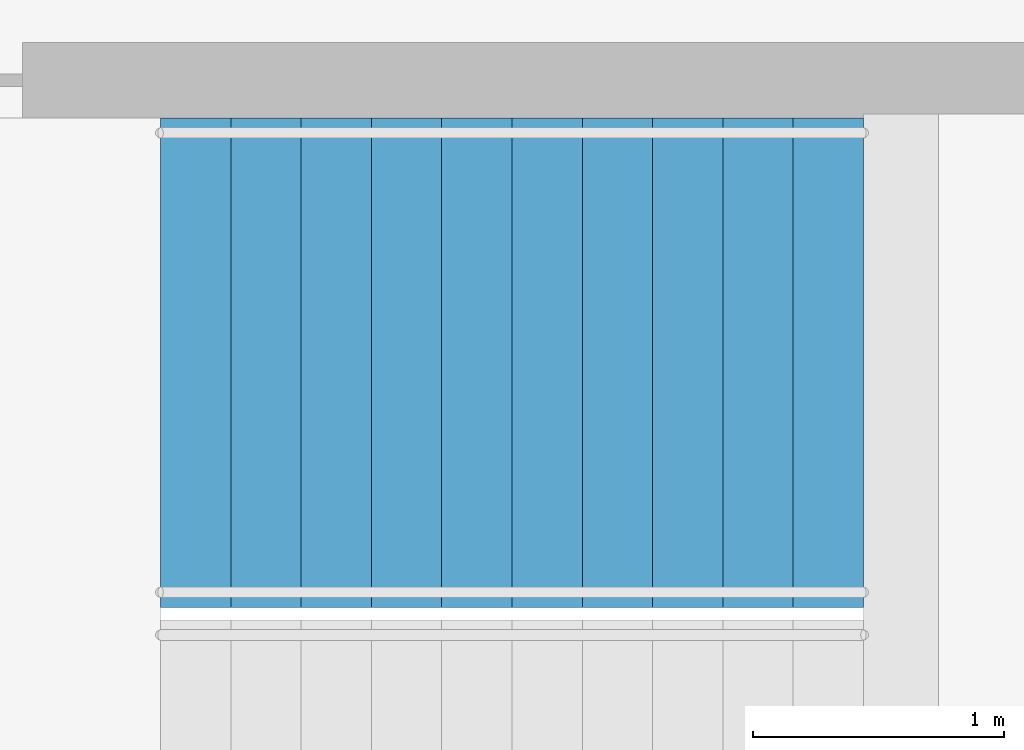
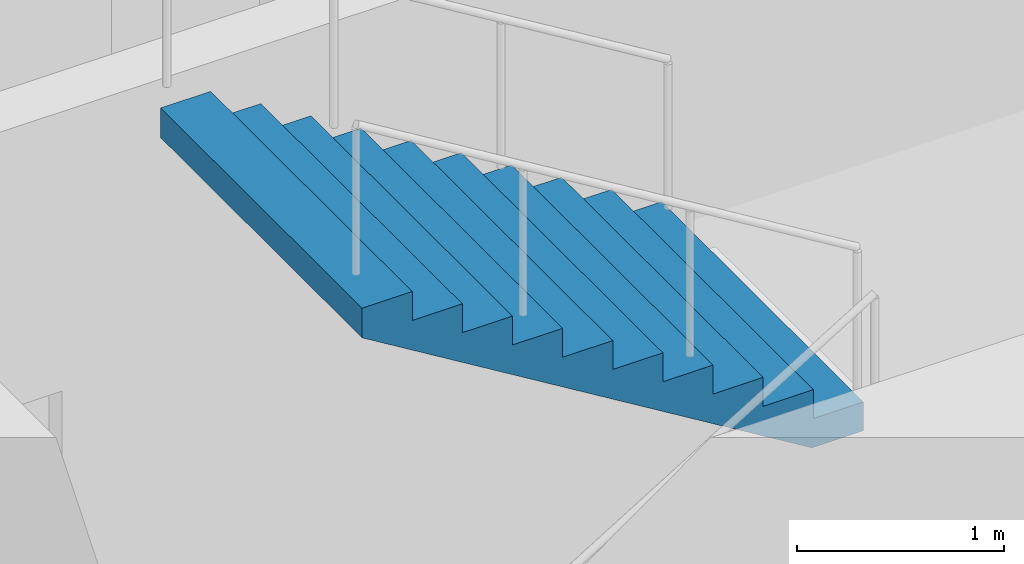
# One storey, part 23 of 28: 1 stair flight, 1 element without a shape of its own.
"""IFC4 building model written with IfcOpenShell, lengths in metres."""

from ifc_helpers import new_model, si_unit, direction, frame, origin, place, context, subcontext, project, spatial, triangles, material, type_object, element, aggregate, save


model = new_model("IFC4")

# Units and contexts
model_context = context("Model", 3, precision=1e-05, world=origin(), true_north=direction((0.0, 1.0)))
body_context = subcontext(model_context, "Body", "Model", "MODEL_VIEW")
ifc_project = project(units=[si_unit("LENGTHUNIT", "METRE"), si_unit("AREAUNIT", "SQUARE_METRE"), si_unit("VOLUMEUNIT", "CUBIC_METRE"), si_unit("PLANEANGLEUNIT", "RADIAN"), si_unit("MASSUNIT", "GRAM", prefix="KILO")], contexts=[model_context])

# Site, building, storey
site_placement = place(None, origin())
site = spatial("IfcSite", under=ifc_project, at=site_placement, CompositionType="ELEMENT")
building_placement = place(site_placement, origin())
building = spatial("IfcBuilding", under=site, at=building_placement, Name="Orbita Commons", CompositionType="ELEMENT")
storey_placement = place(building_placement, frame((0.0, 0.0, 23.949951171875)))
storey = spatial("IfcBuildingStorey", under=building, at=storey_placement, Name="L05", CompositionType="ELEMENT", Elevation=23.949951171875)

# Stair, stair flight
ifc_material_1 = material(Name="Precast concrete C40/50", Category="concrete")
stair_type = type_object("IfcStairType", Name="Exit stair S1 2 flights 11 risers 170", PredefinedType="HALF_TURN_STAIR", material=ifc_material_1)
stair_placement = place(storey_placement, origin())
stair = element("IfcStair", 1, at=stair_placement, inside=storey, type_object=stair_type, Name="Exit stair S1 L05", PredefinedType="HALF_TURN_STAIR")
ifc_material_2 = material(Name="Precast concrete C40/50", Category="concrete")
stair_flight_type = type_object("IfcStairFlightType", Name="Stair flight 11 risers 170 x 280", PredefinedType="STRAIGHT", material=ifc_material_2)
stair_flight_placement = place(storey_placement, frame((23.25, 29.27490234375, 1.875), z_axis=(0.0, 0.0, 1.0), x_axis=(-1.0, 0.0, 0.0)))
stair_flight = element("IfcStairFlight", 2, at=stair_flight_placement, type_object=stair_flight_type, Name="S1 flight 2", NumberOfRisers=11, NumberOfTreads=10, PredefinedType="STRAIGHT", RiserHeight=0.170454545, TreadLength=0.28, context=body_context, shape_type="Tessellation", body=[
    triangles([(0.0, 0.974976, 0.0), (0.0, 0.974976, 0.021307), (0.0, 0.81248, 0.021307), (0.0, 0.81248, 0.0), (0.0, 0.649984, 0.021307), (0.0, 0.649984, 0.0), (0.0, 0.487488, 0.021307), (0.0, 0.487488, 0.0), (0.0, 0.324992, 0.021307), (0.0, 0.324992, 0.0), (0.0, 0.162496, 0.021307), (0.0, 0.162496, 0.0), (0.0, 0.0, 0.021307), (0.0, 0.0, 0.0), (0.0, -0.162496, 0.021307), (0.0, -0.162496, 0.0), (0.0, -0.324992, 0.021307), (0.0, -0.324992, 0.0), (0.0, -0.487488, 0.021307), (0.0, -0.487488, 0.0), (0.0, -0.649984, 0.021307), (0.0, -0.649984, 0.0), (0.0, -0.81248, 0.021307), (0.0, -0.81248, 0.0), (0.0, -0.974976, 0.021307), (0.0, -0.974976, 0.0), (0.0, 0.974976, 0.042614), (0.0, 0.81248, 0.042614), (0.0, 0.649984, 0.042614), (0.0, 0.487488, 0.042614), (0.0, 0.324992, 0.042614), (0.0, 0.162496, 0.042614), (0.0, 0.0, 0.042614), (0.0, -0.162496, 0.042614), (0.0, -0.324992, 0.042614), (0.0, -0.487488, 0.042614), (0.0, -0.649984, 0.042614), (0.0, -0.81248, 0.042614), (0.0, -0.974976, 0.042614), (0.0, 0.974976, 0.06392), (0.0, 0.81248, 0.06392), (0.0, 0.649984, 0.06392), (0.0, 0.487488, 0.06392), (0.0, 0.324992, 0.06392), (0.0, 0.162496, 0.06392), (0.0, 0.0, 0.06392), (0.0, -0.162496, 0.06392), (0.0, -0.324992, 0.06392), (0.0, -0.487488, 0.06392), (0.0, -0.649984, 0.06392), (0.0, -0.81248, 0.06392), (0.0, -0.974976, 0.06392), (0.0, 0.974976, 0.085227), (0.0, 0.81248, 0.085227), (0.0, 0.649984, 0.085227), (0.0, 0.487488, 0.085227), (0.0, 0.324992, 0.085227), (0.0, 0.162496, 0.085227), (0.0, 0.0, 0.085227), (0.0, -0.162496, 0.085227), (0.0, -0.324992, 0.085227), (0.0, -0.487488, 0.085227), (0.0, -0.649984, 0.085227), (0.0, -0.81248, 0.085227), (0.0, -0.974976, 0.085227), (0.0, 0.974976, 0.106534), (0.0, 0.81248, 0.106534), (0.0, 0.649984, 0.106534), (0.0, 0.487488, 0.106534), (0.0, 0.324992, 0.106534), (0.0, 0.162496, 0.106534), (0.0, 0.0, 0.106534), (0.0, -0.162496, 0.106534), (0.0, -0.324992, 0.106534), (0.0, -0.487488, 0.106534), (0.0, -0.649984, 0.106534), (0.0, -0.81248, 0.106534), (0.0, -0.974976, 0.106534), (0.0, 0.974976, 0.127841), (0.0, 0.81248, 0.127841), (0.0, 0.649984, 0.127841), (0.0, 0.487488, 0.127841), (0.0, 0.324992, 0.127841), (0.0, 0.162496, 0.127841), (0.0, 0.0, 0.127841), (0.0, -0.162496, 0.127841), (0.0, -0.324992, 0.127841), (0.0, -0.487488, 0.127841), (0.0, -0.649984, 0.127841), (0.0, -0.81248, 0.127841), (0.0, -0.974976, 0.127841), (0.0, 0.974976, 0.149148), (0.0, 0.81248, 0.149148), (0.0, 0.649984, 0.149148), (0.0, 0.487488, 0.149148), (0.0, 0.324992, 0.149148), (0.0, 0.162496, 0.149148), (0.0, 0.0, 0.149148), (0.0, -0.162496, 0.149148), (0.0, -0.324992, 0.149148), (0.0, -0.487488, 0.149148), (0.0, -0.649984, 0.149148), (0.0, -0.81248, 0.149148), (0.0, -0.974976, 0.149148), (0.0, 0.974976, 0.170455), (0.0, 0.81248, 0.170455), (0.0, 0.649984, 0.170455), (0.0, 0.487488, 0.170455), (0.0, 0.324992, 0.170455), (0.0, 0.162496, 0.170455), (0.0, 0.0, 0.170455), (0.0, -0.162496, 0.170455), (0.0, -0.324992, 0.170455), (0.0, -0.487488, 0.170455), (0.0, -0.649984, 0.170455), (0.0, -0.81248, 0.170455), (0.0, -0.974976, 0.170455), (0.28, 0.974976, 0.170455), (0.28, 0.81248, 0.170455), (0.28, 0.649984, 0.170455), (0.28, 0.487488, 0.170455), (0.28, 0.324992, 0.170455), (0.28, 0.162496, 0.170455), (0.28, 0.0, 0.170455), (0.28, -0.162496, 0.170455), (0.28, -0.324992, 0.170455), (0.28, -0.487488, 0.170455), (0.28, -0.649984, 0.170455), (0.28, -0.81248, 0.170455), (0.28, -0.974976, 0.170455), (0.28, 0.974976, 0.340909), (0.28, 0.81248, 0.340909), (0.28, 0.649984, 0.340909), (0.28, 0.487488, 0.340909), (0.28, 0.324992, 0.340909), (0.28, 0.162496, 0.340909), (0.28, 0.0, 0.340909), (0.28, -0.162496, 0.340909), (0.28, -0.324992, 0.340909), (0.28, -0.487488, 0.340909), (0.28, -0.649984, 0.340909), (0.28, -0.81248, 0.340909), (0.28, -0.974976, 0.340909), (0.56, 0.974976, 0.340909), (0.56, 0.81248, 0.340909), (0.56, 0.649984, 0.340909), (0.56, 0.487488, 0.340909), (0.56, 0.324992, 0.340909), (0.56, 0.162496, 0.340909), (0.56, 0.0, 0.340909), (0.56, -0.162496, 0.340909), (0.56, -0.324992, 0.340909), (0.56, -0.487488, 0.340909), (0.56, -0.649984, 0.340909), (0.56, -0.81248, 0.340909), (0.56, -0.974976, 0.340909), (0.56, 0.974976, 0.511364), (0.56, 0.81248, 0.511364), (0.56, 0.649984, 0.511364), (0.56, 0.487488, 0.511364), (0.56, 0.324992, 0.511364), (0.56, 0.162496, 0.511364), (0.56, 0.0, 0.511364), (0.56, -0.162496, 0.511364), (0.56, -0.324992, 0.511364), (0.56, -0.487488, 0.511364), (0.56, -0.649984, 0.511364), (0.56, -0.81248, 0.511364), (0.56, -0.974976, 0.511364), (0.84, 0.974976, 0.511364), (0.84, 0.81248, 0.511364), (0.84, 0.649984, 0.511364), (0.84, 0.487488, 0.511364), (0.84, 0.324992, 0.511364), (0.84, 0.162496, 0.511364), (0.84, 0.0, 0.511364), (0.84, -0.162496, 0.511364), (0.84, -0.324992, 0.511364), (0.84, -0.487488, 0.511364), (0.84, -0.649984, 0.511364), (0.84, -0.81248, 0.511364), (0.84, -0.974976, 0.511364), (0.84, 0.974976, 0.681818), (0.84, 0.81248, 0.681818), (0.84, 0.649984, 0.681818), (0.84, 0.487488, 0.681818), (0.84, 0.324992, 0.681818), (0.84, 0.162496, 0.681818), (0.84, 0.0, 0.681818), (0.84, -0.162496, 0.681818), (0.84, -0.324992, 0.681818), (0.84, -0.487488, 0.681818), (0.84, -0.649984, 0.681818), (0.84, -0.81248, 0.681818), (0.84, -0.974976, 0.681818), (1.12, 0.974976, 0.681818), (1.12, 0.81248, 0.681818), (1.12, 0.649984, 0.681818), (1.12, 0.487488, 0.681818), (1.12, 0.324992, 0.681818), (1.12, 0.162496, 0.681818), (1.12, 0.0, 0.681818), (1.12, -0.162496, 0.681818), (1.12, -0.324992, 0.681818), (1.12, -0.487488, 0.681818), (1.12, -0.649984, 0.681818), (1.12, -0.81248, 0.681818), (1.12, -0.974976, 0.681818), (1.12, 0.974976, 0.852273), (1.12, 0.81248, 0.852273), (1.12, 0.649984, 0.852273), (1.12, 0.487488, 0.852273), (1.12, 0.324992, 0.852273), (1.12, 0.162496, 0.852273), (1.12, 0.0, 0.852273), (1.12, -0.162496, 0.852273), (1.12, -0.324992, 0.852273), (1.12, -0.487488, 0.852273), (1.12, -0.649984, 0.852273), (1.12, -0.81248, 0.852273), (1.12, -0.974976, 0.852273), (1.4, 0.974976, 0.852273), (1.4, 0.81248, 0.852273), (1.4, 0.649984, 0.852273), (1.4, 0.487488, 0.852273), (1.4, 0.324992, 0.852273), (1.4, 0.162496, 0.852273), (1.4, 0.0, 0.852273), (1.4, -0.162496, 0.852273), (1.4, -0.324992, 0.852273), (1.4, -0.487488, 0.852273), (1.4, -0.649984, 0.852273), (1.4, -0.81248, 0.852273), (1.4, -0.974976, 0.852273), (1.4, 0.974976, 1.022727), (1.4, 0.81248, 1.022727), (1.4, 0.649984, 1.022727), (1.4, 0.487488, 1.022727), (1.4, 0.324992, 1.022727), (1.4, 0.162496, 1.022727), (1.4, 0.0, 1.022727), (1.4, -0.162496, 1.022727), (1.4, -0.324992, 1.022727), (1.4, -0.487488, 1.022727), (1.4, -0.649984, 1.022727), (1.4, -0.81248, 1.022727), (1.4, -0.974976, 1.022727), (1.68, 0.974976, 1.022727), (1.68, 0.81248, 1.022727), (1.68, 0.649984, 1.022727), (1.68, 0.487488, 1.022727), (1.68, 0.324992, 1.022727), (1.68, 0.162496, 1.022727), (1.68, 0.0, 1.022727), (1.68, -0.162496, 1.022727), (1.68, -0.324992, 1.022727), (1.68, -0.487488, 1.022727), (1.68, -0.649984, 1.022727), (1.68, -0.81248, 1.022727), (1.68, -0.974976, 1.022727), (1.68, 0.974976, 1.193182), (1.68, 0.81248, 1.193182), (1.68, 0.649984, 1.193182), (1.68, 0.487488, 1.193182), (1.68, 0.324992, 1.193182), (1.68, 0.162496, 1.193182), (1.68, 0.0, 1.193182), (1.68, -0.162496, 1.193182), (1.68, -0.324992, 1.193182), (1.68, -0.487488, 1.193182), (1.68, -0.649984, 1.193182), (1.68, -0.81248, 1.193182), (1.68, -0.974976, 1.193182), (1.96, 0.974976, 1.193182), (1.96, 0.81248, 1.193182), (1.96, 0.649984, 1.193182), (1.96, 0.487488, 1.193182), (1.96, 0.324992, 1.193182), (1.96, 0.162496, 1.193182), (1.96, 0.0, 1.193182), (1.96, -0.162496, 1.193182), (1.96, -0.324992, 1.193182), (1.96, -0.487488, 1.193182), (1.96, -0.649984, 1.193182), (1.96, -0.81248, 1.193182), (1.96, -0.974976, 1.193182), (1.96, 0.974976, 1.363636), (1.96, 0.81248, 1.363636), (1.96, 0.649984, 1.363636), (1.96, 0.487488, 1.363636), (1.96, 0.324992, 1.363636), (1.96, 0.162496, 1.363636), (1.96, 0.0, 1.363636), (1.96, -0.162496, 1.363636), (1.96, -0.324992, 1.363636), (1.96, -0.487488, 1.363636), (1.96, -0.649984, 1.363636), (1.96, -0.81248, 1.363636), (1.96, -0.974976, 1.363636), (2.24, 0.974976, 1.363636), (2.24, 0.81248, 1.363636), (2.24, 0.649984, 1.363636), (2.24, 0.487488, 1.363636), (2.24, 0.324992, 1.363636), (2.24, 0.162496, 1.363636), (2.24, 0.0, 1.363636), (2.24, -0.162496, 1.363636), (2.24, -0.324992, 1.363636), (2.24, -0.487488, 1.363636), (2.24, -0.649984, 1.363636), (2.24, -0.81248, 1.363636), (2.24, -0.974976, 1.363636), (2.24, 0.974976, 1.534091), (2.24, 0.81248, 1.534091), (2.24, 0.649984, 1.534091), (2.24, 0.487488, 1.534091), (2.24, 0.324992, 1.534091), (2.24, 0.162496, 1.534091), (2.24, 0.0, 1.534091), (2.24, -0.162496, 1.534091), (2.24, -0.324992, 1.534091), (2.24, -0.487488, 1.534091), (2.24, -0.649984, 1.534091), (2.24, -0.81248, 1.534091), (2.24, -0.974976, 1.534091), (2.52, 0.974976, 1.534091), (2.52, 0.81248, 1.534091), (2.52, 0.649984, 1.534091), (2.52, 0.487488, 1.534091), (2.52, 0.324992, 1.534091), (2.52, 0.162496, 1.534091), (2.52, 0.0, 1.534091), (2.52, -0.162496, 1.534091), (2.52, -0.324992, 1.534091), (2.52, -0.487488, 1.534091), (2.52, -0.649984, 1.534091), (2.52, -0.81248, 1.534091), (2.52, -0.974976, 1.534091), (2.52, 0.974976, 1.704545), (2.52, 0.81248, 1.704545), (2.52, 0.649984, 1.704545), (2.52, 0.487488, 1.704545), (2.52, 0.324992, 1.704545), (2.52, 0.162496, 1.704545), (2.52, 0.0, 1.704545), (2.52, -0.162496, 1.704545), (2.52, -0.324992, 1.704545), (2.52, -0.487488, 1.704545), (2.52, -0.649984, 1.704545), (2.52, -0.81248, 1.704545), (2.52, -0.974976, 1.704545), (2.8, 0.974976, 1.704545), (2.8, 0.81248, 1.704545), (2.8, 0.649984, 1.704545), (2.8, 0.487488, 1.704545), (2.8, 0.324992, 1.704545), (2.8, 0.162496, 1.704545), (2.8, 0.0, 1.704545), (2.8, -0.162496, 1.704545), (2.8, -0.324992, 1.704545), (2.8, -0.487488, 1.704545), (2.8, -0.649984, 1.704545), (2.8, -0.81248, 1.704545), (2.8, -0.974976, 1.704545), (2.8, 0.974976, 1.682609), (2.8, 0.81248, 1.682609), (2.8, 0.649984, 1.682609), (2.8, 0.487488, 1.682609), (2.8, 0.324992, 1.682609), (2.8, 0.162496, 1.682609), (2.8, 0.0, 1.682609), (2.8, -0.162496, 1.682609), (2.8, -0.324992, 1.682609), (2.8, -0.487488, 1.682609), (2.8, -0.649984, 1.682609), (2.8, -0.81248, 1.682609), (2.8, -0.974976, 1.682609), (2.8, 0.974976, 1.660672), (2.8, 0.81248, 1.660672), (2.8, 0.649984, 1.660672), (2.8, 0.487488, 1.660672), (2.8, 0.324992, 1.660672), (2.8, 0.162496, 1.660672), (2.8, 0.0, 1.660672), (2.8, -0.162496, 1.660672), (2.8, -0.324992, 1.660672), (2.8, -0.487488, 1.660672), (2.8, -0.649984, 1.660672), (2.8, -0.81248, 1.660672), (2.8, -0.974976, 1.660672), (2.8, 0.974976, 1.638735), (2.8, 0.81248, 1.638735), (2.8, 0.649984, 1.638735), (2.8, 0.487488, 1.638735), (2.8, 0.324992, 1.638735), (2.8, 0.162496, 1.638735), (2.8, 0.0, 1.638735), (2.8, -0.162496, 1.638735), (2.8, -0.324992, 1.638735), (2.8, -0.487488, 1.638735), (2.8, -0.649984, 1.638735), (2.8, -0.81248, 1.638735), (2.8, -0.974976, 1.638735), (2.8, 0.974976, 1.616798), (2.8, 0.81248, 1.616798), (2.8, 0.649984, 1.616798), (2.8, 0.487488, 1.616798), (2.8, 0.324992, 1.616798), (2.8, 0.162496, 1.616798), (2.8, 0.0, 1.616798), (2.8, -0.162496, 1.616798), (2.8, -0.324992, 1.616798), (2.8, -0.487488, 1.616798), (2.8, -0.649984, 1.616798), (2.8, -0.81248, 1.616798), (2.8, -0.974976, 1.616798), (2.8, 0.974976, 1.594861), (2.8, 0.81248, 1.594861), (2.8, 0.649984, 1.594861), (2.8, 0.487488, 1.594861), (2.8, 0.324992, 1.594861), (2.8, 0.162496, 1.594861), (2.8, 0.0, 1.594861), (2.8, -0.162496, 1.594861), (2.8, -0.324992, 1.594861), (2.8, -0.487488, 1.594861), (2.8, -0.649984, 1.594861), (2.8, -0.81248, 1.594861), (2.8, -0.974976, 1.594861), (2.8, 0.974976, 1.572925), (2.8, 0.81248, 1.572925), (2.8, 0.649984, 1.572925), (2.8, 0.487488, 1.572925), (2.8, 0.324992, 1.572925), (2.8, 0.162496, 1.572925), (2.8, 0.0, 1.572925), (2.8, -0.162496, 1.572925), (2.8, -0.324992, 1.572925), (2.8, -0.487488, 1.572925), (2.8, -0.649984, 1.572925), (2.8, -0.81248, 1.572925), (2.8, -0.974976, 1.572925), (2.8, 0.974976, 1.550988), (2.8, 0.81248, 1.550988), (2.8, 0.649984, 1.550988), (2.8, 0.487488, 1.550988), (2.8, 0.324992, 1.550988), (2.8, 0.162496, 1.550988), (2.8, 0.0, 1.550988), (2.8, -0.162496, 1.550988), (2.8, -0.324992, 1.550988), (2.8, -0.487488, 1.550988), (2.8, -0.649984, 1.550988), (2.8, -0.81248, 1.550988), (2.8, -0.974976, 1.550988), (2.8, 0.974976, 1.529051), (2.8, 0.81248, 1.529051), (2.8, 0.649984, 1.529051), (2.8, 0.487488, 1.529051), (2.8, 0.324992, 1.529051), (2.8, 0.162496, 1.529051), (2.8, 0.0, 1.529051), (2.8, -0.162496, 1.529051), (2.8, -0.324992, 1.529051), (2.8, -0.487488, 1.529051), (2.8, -0.649984, 1.529051), (2.8, -0.81248, 1.529051), (2.8, -0.974976, 1.529051), (0.288279, 0.974976, 0.0), (0.288279, 0.81248, 0.0), (0.288279, 0.649984, 0.0), (0.288279, 0.487488, 0.0), (0.288279, 0.324992, 0.0), (0.288279, 0.162496, 0.0), (0.288279, 0.0, 0.0), (0.288279, -0.162496, 0.0), (0.288279, -0.324992, 0.0), (0.288279, -0.487488, 0.0), (0.288279, -0.649984, 0.0), (0.288279, -0.81248, 0.0), (0.288279, -0.974976, 0.0)], [[3, 2, 1], [4, 3, 1], [5, 3, 4], [6, 5, 4], [7, 5, 6], [8, 7, 6], [9, 7, 8], [10, 9, 8], [11, 9, 10], [12, 11, 10], [13, 11, 12], [14, 13, 12], [15, 13, 14], [16, 15, 14], [17, 15, 16], [18, 17, 16], [19, 17, 18], [20, 19, 18], [21, 19, 20], [22, 21, 20], [23, 21, 22], [24, 23, 22], [25, 23, 24], [26, 25, 24], [28, 27, 2], [3, 28, 2], [29, 28, 3], [5, 29, 3], [30, 29, 5], [7, 30, 5], [31, 30, 7], [9, 31, 7], [32, 31, 9], [11, 32, 9], [33, 32, 11], [13, 33, 11], [34, 33, 13], [15, 34, 13], [35, 34, 15], [17, 35, 15], [36, 35, 17], [19, 36, 17], [37, 36, 19], [21, 37, 19], [38, 37, 21], [23, 38, 21], [39, 38, 23], [25, 39, 23], [41, 40, 27], [28, 41, 27], [42, 41, 28], [29, 42, 28], [43, 42, 29], [30, 43, 29], [44, 43, 30], [31, 44, 30], [45, 44, 31], [32, 45, 31], [46, 45, 32], [33, 46, 32], [47, 46, 33], [34, 47, 33], [48, 47, 34], [35, 48, 34], [49, 48, 35], [36, 49, 35], [50, 49, 36], [37, 50, 36], [51, 50, 37], [38, 51, 37], [52, 51, 38], [39, 52, 38], [54, 53, 40], [41, 54, 40], [55, 54, 41], [42, 55, 41], [56, 55, 42], [43, 56, 42], [57, 56, 43], [44, 57, 43], [58, 57, 44], [45, 58, 44], [59, 58, 45], [46, 59, 45], [60, 59, 46], [47, 60, 46], [61, 60, 47], [48, 61, 47], [62, 61, 48], [49, 62, 48], [63, 62, 49], [50, 63, 49], [64, 63, 50], [51, 64, 50], [65, 64, 51], [52, 65, 51], [67, 66, 53], [54, 67, 53], [68, 67, 54], [55, 68, 54], [69, 68, 55], [56, 69, 55], [70, 69, 56], [57, 70, 56], [71, 70, 57], [58, 71, 57], [72, 71, 58], [59, 72, 58], [73, 72, 59], [60, 73, 59], [74, 73, 60], [61, 74, 60], [75, 74, 61], [62, 75, 61], [76, 75, 62], [63, 76, 62], [77, 76, 63], [64, 77, 63], [78, 77, 64], [65, 78, 64], [80, 79, 66], [67, 80, 66], [81, 80, 67], [68, 81, 67], [82, 81, 68], [69, 82, 68], [83, 82, 69], [70, 83, 69], [84, 83, 70], [71, 84, 70], [85, 84, 71], [72, 85, 71], [86, 85, 72], [73, 86, 72], [87, 86, 73], [74, 87, 73], [88, 87, 74], [75, 88, 74], [89, 88, 75], [76, 89, 75], [90, 89, 76], [77, 90, 76], [91, 90, 77], [78, 91, 77], [93, 92, 79], [80, 93, 79], [94, 93, 80], [81, 94, 80], [95, 94, 81], [82, 95, 81], [96, 95, 82], [83, 96, 82], [97, 96, 83], [84, 97, 83], [98, 97, 84], [85, 98, 84], [99, 98, 85], [86, 99, 85], [100, 99, 86], [87, 100, 86], [101, 100, 87], [88, 101, 87], [102, 101, 88], [89, 102, 88], [103, 102, 89], [90, 103, 89], [104, 103, 90], [91, 104, 90], [106, 105, 92], [93, 106, 92], [107, 106, 93], [94, 107, 93], [108, 107, 94], [95, 108, 94], [109, 108, 95], [96, 109, 95], [110, 109, 96], [97, 110, 96], [111, 110, 97], [98, 111, 97], [112, 111, 98], [99, 112, 98], [113, 112, 99], [100, 113, 99], [114, 113, 100], [101, 114, 100], [115, 114, 101], [102, 115, 101], [116, 115, 102], [103, 116, 102], [117, 116, 103], [104, 117, 103], [119, 118, 105], [106, 119, 105], [120, 119, 106], [107, 120, 106], [121, 120, 107], [108, 121, 107], [122, 121, 108], [109, 122, 108], [123, 122, 109], [110, 123, 109], [124, 123, 110], [111, 124, 110], [125, 124, 111], [112, 125, 111], [126, 125, 112], [113, 126, 112], [127, 126, 113], [114, 127, 113], [128, 127, 114], [115, 128, 114], [129, 128, 115], [116, 129, 115], [130, 129, 116], [117, 130, 116], [132, 131, 118], [119, 132, 118], [133, 132, 119], [120, 133, 119], [134, 133, 120], [121, 134, 120], [135, 134, 121], [122, 135, 121], [136, 135, 122], [123, 136, 122], [137, 136, 123], [124, 137, 123], [138, 137, 124], [125, 138, 124], [139, 138, 125], [126, 139, 125], [140, 139, 126], [127, 140, 126], [141, 140, 127], [128, 141, 127], [142, 141, 128], [129, 142, 128], [143, 142, 129], [130, 143, 129], [145, 144, 131], [132, 145, 131], [146, 145, 132], [133, 146, 132], [147, 146, 133], [134, 147, 133], [148, 147, 134], [135, 148, 134], [149, 148, 135], [136, 149, 135], [150, 149, 136], [137, 150, 136], [151, 150, 137], [138, 151, 137], [152, 151, 138], [139, 152, 138], [153, 152, 139], [140, 153, 139], [154, 153, 140], [141, 154, 140], [155, 154, 141], [142, 155, 141], [156, 155, 142], [143, 156, 142], [158, 157, 144], [145, 158, 144], [159, 158, 145], [146, 159, 145], [160, 159, 146], [147, 160, 146], [161, 160, 147], [148, 161, 147], [162, 161, 148], [149, 162, 148], [163, 162, 149], [150, 163, 149], [164, 163, 150], [151, 164, 150], [165, 164, 151], [152, 165, 151], [166, 165, 152], [153, 166, 152], [167, 166, 153], [154, 167, 153], [168, 167, 154], [155, 168, 154], [169, 168, 155], [156, 169, 155], [171, 170, 157], [158, 171, 157], [172, 171, 158], [159, 172, 158], [173, 172, 159], [160, 173, 159], [174, 173, 160], [161, 174, 160], [175, 174, 161], [162, 175, 161], [176, 175, 162], [163, 176, 162], [177, 176, 163], [164, 177, 163], [178, 177, 164], [165, 178, 164], [179, 178, 165], [166, 179, 165], [180, 179, 166], [167, 180, 166], [181, 180, 167], [168, 181, 167], [182, 181, 168], [169, 182, 168], [184, 183, 170], [171, 184, 170], [185, 184, 171], [172, 185, 171], [186, 185, 172], [173, 186, 172], [187, 186, 173], [174, 187, 173], [188, 187, 174], [175, 188, 174], [189, 188, 175], [176, 189, 175], [190, 189, 176], [177, 190, 176], [191, 190, 177], [178, 191, 177], [192, 191, 178], [179, 192, 178], [193, 192, 179], [180, 193, 179], [194, 193, 180], [181, 194, 180], [195, 194, 181], [182, 195, 181], [197, 196, 183], [184, 197, 183], [198, 197, 184], [185, 198, 184], [199, 198, 185], [186, 199, 185], [200, 199, 186], [187, 200, 186], [201, 200, 187], [188, 201, 187], [202, 201, 188], [189, 202, 188], [203, 202, 189], [190, 203, 189], [204, 203, 190], [191, 204, 190], [205, 204, 191], [192, 205, 191], [206, 205, 192], [193, 206, 192], [207, 206, 193], [194, 207, 193], [208, 207, 194], [195, 208, 194], [210, 209, 196], [197, 210, 196], [211, 210, 197], [198, 211, 197], [212, 211, 198], [199, 212, 198], [213, 212, 199], [200, 213, 199], [214, 213, 200], [201, 214, 200], [215, 214, 201], [202, 215, 201], [216, 215, 202], [203, 216, 202], [217, 216, 203], [204, 217, 203], [218, 217, 204], [205, 218, 204], [219, 218, 205], [206, 219, 205], [220, 219, 206], [207, 220, 206], [221, 220, 207], [208, 221, 207], [223, 222, 209], [210, 223, 209], [224, 223, 210], [211, 224, 210], [225, 224, 211], [212, 225, 211], [226, 225, 212], [213, 226, 212], [227, 226, 213], [214, 227, 213], [228, 227, 214], [215, 228, 214], [229, 228, 215], [216, 229, 215], [230, 229, 216], [217, 230, 216], [231, 230, 217], [218, 231, 217], [232, 231, 218], [219, 232, 218], [233, 232, 219], [220, 233, 219], [234, 233, 220], [221, 234, 220], [236, 235, 222], [223, 236, 222], [237, 236, 223], [224, 237, 223], [238, 237, 224], [225, 238, 224], [239, 238, 225], [226, 239, 225], [240, 239, 226], [227, 240, 226], [241, 240, 227], [228, 241, 227], [242, 241, 228], [229, 242, 228], [243, 242, 229], [230, 243, 229], [244, 243, 230], [231, 244, 230], [245, 244, 231], [232, 245, 231], [246, 245, 232], [233, 246, 232], [247, 246, 233], [234, 247, 233], [249, 248, 235], [236, 249, 235], [250, 249, 236], [237, 250, 236], [251, 250, 237], [238, 251, 237], [252, 251, 238], [239, 252, 238], [253, 252, 239], [240, 253, 239], [254, 253, 240], [241, 254, 240], [255, 254, 241], [242, 255, 241], [256, 255, 242], [243, 256, 242], [257, 256, 243], [244, 257, 243], [258, 257, 244], [245, 258, 244], [259, 258, 245], [246, 259, 245], [260, 259, 246], [247, 260, 246], [262, 261, 248], [249, 262, 248], [263, 262, 249], [250, 263, 249], [264, 263, 250], [251, 264, 250], [265, 264, 251], [252, 265, 251], [266, 265, 252], [253, 266, 252], [267, 266, 253], [254, 267, 253], [268, 267, 254], [255, 268, 254], [269, 268, 255], [256, 269, 255], [270, 269, 256], [257, 270, 256], [271, 270, 257], [258, 271, 257], [272, 271, 258], [259, 272, 258], [273, 272, 259], [260, 273, 259], [275, 274, 261], [262, 275, 261], [276, 275, 262], [263, 276, 262], [277, 276, 263], [264, 277, 263], [278, 277, 264], [265, 278, 264], [279, 278, 265], [266, 279, 265], [280, 279, 266], [267, 280, 266], [281, 280, 267], [268, 281, 267], [282, 281, 268], [269, 282, 268], [283, 282, 269], [270, 283, 269], [284, 283, 270], [271, 284, 270], [285, 284, 271], [272, 285, 271], [286, 285, 272], [273, 286, 272], [288, 287, 274], [275, 288, 274], [289, 288, 275], [276, 289, 275], [290, 289, 276], [277, 290, 276], [291, 290, 277], [278, 291, 277], [292, 291, 278], [279, 292, 278], [293, 292, 279], [280, 293, 279], [294, 293, 280], [281, 294, 280], [295, 294, 281], [282, 295, 281], [296, 295, 282], [283, 296, 282], [297, 296, 283], [284, 297, 283], [298, 297, 284], [285, 298, 284], [299, 298, 285], [286, 299, 285], [301, 300, 287], [288, 301, 287], [302, 301, 288], [289, 302, 288], [303, 302, 289], [290, 303, 289], [304, 303, 290], [291, 304, 290], [305, 304, 291], [292, 305, 291], [306, 305, 292], [293, 306, 292], [307, 306, 293], [294, 307, 293], [308, 307, 294], [295, 308, 294], [309, 308, 295], [296, 309, 295], [310, 309, 296], [297, 310, 296], [311, 310, 297], [298, 311, 297], [312, 311, 298], [299, 312, 298], [314, 313, 300], [301, 314, 300], [315, 314, 301], [302, 315, 301], [316, 315, 302], [303, 316, 302], [317, 316, 303], [304, 317, 303], [318, 317, 304], [305, 318, 304], [319, 318, 305], [306, 319, 305], [320, 319, 306], [307, 320, 306], [321, 320, 307], [308, 321, 307], [322, 321, 308], [309, 322, 308], [323, 322, 309], [310, 323, 309], [324, 323, 310], [311, 324, 310], [325, 324, 311], [312, 325, 311], [327, 326, 313], [314, 327, 313], [328, 327, 314], [315, 328, 314], [329, 328, 315], [316, 329, 315], [330, 329, 316], [317, 330, 316], [331, 330, 317], [318, 331, 317], [332, 331, 318], [319, 332, 318], [333, 332, 319], [320, 333, 319], [334, 333, 320], [321, 334, 320], [335, 334, 321], [322, 335, 321], [336, 335, 322], [323, 336, 322], [337, 336, 323], [324, 337, 323], [338, 337, 324], [325, 338, 324], [340, 339, 326], [327, 340, 326], [341, 340, 327], [328, 341, 327], [342, 341, 328], [329, 342, 328], [343, 342, 329], [330, 343, 329], [344, 343, 330], [331, 344, 330], [345, 344, 331], [332, 345, 331], [346, 345, 332], [333, 346, 332], [347, 346, 333], [334, 347, 333], [348, 347, 334], [335, 348, 334], [349, 348, 335], [336, 349, 335], [350, 349, 336], [337, 350, 336], [351, 350, 337], [338, 351, 337], [353, 352, 339], [340, 353, 339], [354, 353, 340], [341, 354, 340], [355, 354, 341], [342, 355, 341], [356, 355, 342], [343, 356, 342], [357, 356, 343], [344, 357, 343], [358, 357, 344], [345, 358, 344], [359, 358, 345], [346, 359, 345], [360, 359, 346], [347, 360, 346], [361, 360, 347], [348, 361, 347], [362, 361, 348], [349, 362, 348], [363, 362, 349], [350, 363, 349], [364, 363, 350], [351, 364, 350], [366, 365, 352], [353, 366, 352], [367, 366, 353], [354, 367, 353], [368, 367, 354], [355, 368, 354], [369, 368, 355], [356, 369, 355], [370, 369, 356], [357, 370, 356], [371, 370, 357], [358, 371, 357], [372, 371, 358], [359, 372, 358], [373, 372, 359], [360, 373, 359], [374, 373, 360], [361, 374, 360], [375, 374, 361], [362, 375, 361], [376, 375, 362], [363, 376, 362], [377, 376, 363], [364, 377, 363], [379, 378, 365], [366, 379, 365], [380, 379, 366], [367, 380, 366], [381, 380, 367], [368, 381, 367], [382, 381, 368], [369, 382, 368], [383, 382, 369], [370, 383, 369], [384, 383, 370], [371, 384, 370], [385, 384, 371], [372, 385, 371], [386, 385, 372], [373, 386, 372], [387, 386, 373], [374, 387, 373], [388, 387, 374], [375, 388, 374], [389, 388, 375], [376, 389, 375], [390, 389, 376], [377, 390, 376], [392, 391, 378], [379, 392, 378], [393, 392, 379], [380, 393, 379], [394, 393, 380], [381, 394, 380], [395, 394, 381], [382, 395, 381], [396, 395, 382], [383, 396, 382], [397, 396, 383], [384, 397, 383], [398, 397, 384], [385, 398, 384], [399, 398, 385], [386, 399, 385], [400, 399, 386], [387, 400, 386], [401, 400, 387], [388, 401, 387], [402, 401, 388], [389, 402, 388], [403, 402, 389], [390, 403, 389], [405, 404, 391], [392, 405, 391], [406, 405, 392], [393, 406, 392], [407, 406, 393], [394, 407, 393], [408, 407, 394], [395, 408, 394], [409, 408, 395], [396, 409, 395], [410, 409, 396], [397, 410, 396], [411, 410, 397], [398, 411, 397], [412, 411, 398], [399, 412, 398], [413, 412, 399], [400, 413, 399], [414, 413, 400], [401, 414, 400], [415, 414, 401], [402, 415, 401], [416, 415, 402], [403, 416, 402], [418, 417, 404], [405, 418, 404], [419, 418, 405], [406, 419, 405], [420, 419, 406], [407, 420, 406], [421, 420, 407], [408, 421, 407], [422, 421, 408], [409, 422, 408], [423, 422, 409], [410, 423, 409], [424, 423, 410], [411, 424, 410], [425, 424, 411], [412, 425, 411], [426, 425, 412], [413, 426, 412], [427, 426, 413], [414, 427, 413], [428, 427, 414], [415, 428, 414], [429, 428, 415], [416, 429, 415], [431, 430, 417], [418, 431, 417], [432, 431, 418], [419, 432, 418], [433, 432, 419], [420, 433, 419], [434, 433, 420], [421, 434, 420], [435, 434, 421], [422, 435, 421], [436, 435, 422], [423, 436, 422], [437, 436, 423], [424, 437, 423], [438, 437, 424], [425, 438, 424], [439, 438, 425], [426, 439, 425], [440, 439, 426], [427, 440, 426], [441, 440, 427], [428, 441, 427], [442, 441, 428], [429, 442, 428], [444, 443, 430], [431, 444, 430], [445, 444, 431], [432, 445, 431], [446, 445, 432], [433, 446, 432], [447, 446, 433], [434, 447, 433], [448, 447, 434], [435, 448, 434], [449, 448, 435], [436, 449, 435], [450, 449, 436], [437, 450, 436], [451, 450, 437], [438, 451, 437], [452, 451, 438], [439, 452, 438], [453, 452, 439], [440, 453, 439], [454, 453, 440], [441, 454, 440], [455, 454, 441], [442, 455, 441], [457, 456, 443], [444, 457, 443], [458, 457, 444], [445, 458, 444], [459, 458, 445], [446, 459, 445], [460, 459, 446], [447, 460, 446], [461, 460, 447], [448, 461, 447], [462, 461, 448], [449, 462, 448], [463, 462, 449], [450, 463, 449], [464, 463, 450], [451, 464, 450], [465, 464, 451], [452, 465, 451], [466, 465, 452], [453, 466, 452], [467, 466, 453], [454, 467, 453], [468, 467, 454], [455, 468, 454], [470, 469, 456], [457, 470, 456], [471, 470, 457], [458, 471, 457], [472, 471, 458], [459, 472, 458], [473, 472, 459], [460, 473, 459], [474, 473, 460], [461, 474, 460], [475, 474, 461], [462, 475, 461], [476, 475, 462], [463, 476, 462], [477, 476, 463], [464, 477, 463], [478, 477, 464], [465, 478, 464], [479, 478, 465], [466, 479, 465], [480, 479, 466], [467, 480, 466], [481, 480, 467], [468, 481, 467], [4, 1, 469], [470, 4, 469], [6, 4, 470], [471, 6, 470], [8, 6, 471], [472, 8, 471], [10, 8, 472], [473, 10, 472], [12, 10, 473], [474, 12, 473], [14, 12, 474], [475, 14, 474], [16, 14, 475], [476, 16, 475], [18, 16, 476], [477, 18, 476], [20, 18, 477], [478, 20, 477], [22, 20, 478], [479, 22, 478], [24, 22, 479], [480, 24, 479], [26, 24, 480], [481, 26, 480], [456, 469, 1], [26, 481, 468], [443, 456, 1], [26, 468, 455], [430, 443, 1], [26, 455, 442], [417, 430, 1], [26, 442, 429], [404, 417, 1], [26, 429, 416], [391, 404, 1], [26, 416, 403], [378, 391, 1], [26, 403, 390], [365, 378, 1], [26, 390, 377], [339, 352, 365], [377, 364, 351], [326, 339, 365], [377, 351, 338], [300, 313, 326], [338, 325, 312], [300, 326, 365], [377, 338, 312], [274, 287, 300], [312, 299, 286], [274, 300, 365], [377, 312, 286], [248, 261, 274], [286, 273, 260], [248, 274, 365], [377, 286, 260], [222, 235, 248], [260, 247, 234], [222, 248, 365], [377, 260, 234], [196, 209, 222], [234, 221, 208], [196, 222, 365], [377, 234, 208], [170, 183, 196], [208, 195, 182], [170, 196, 365], [377, 208, 182], [144, 157, 170], [182, 169, 156], [144, 170, 365], [377, 182, 156], [118, 131, 144], [156, 143, 130], [118, 144, 365], [377, 156, 130], [118, 365, 1], [26, 377, 130], [92, 105, 118], [130, 117, 104], [79, 92, 118], [130, 104, 91], [66, 79, 118], [130, 91, 78], [53, 66, 118], [130, 78, 65], [40, 53, 118], [130, 65, 52], [27, 40, 118], [130, 52, 39], [2, 27, 118], [130, 39, 25], [1, 2, 118], [130, 25, 26]], closed=True),
])
aggregate(stair, [stair_flight])

save(model, "model.ifc")
